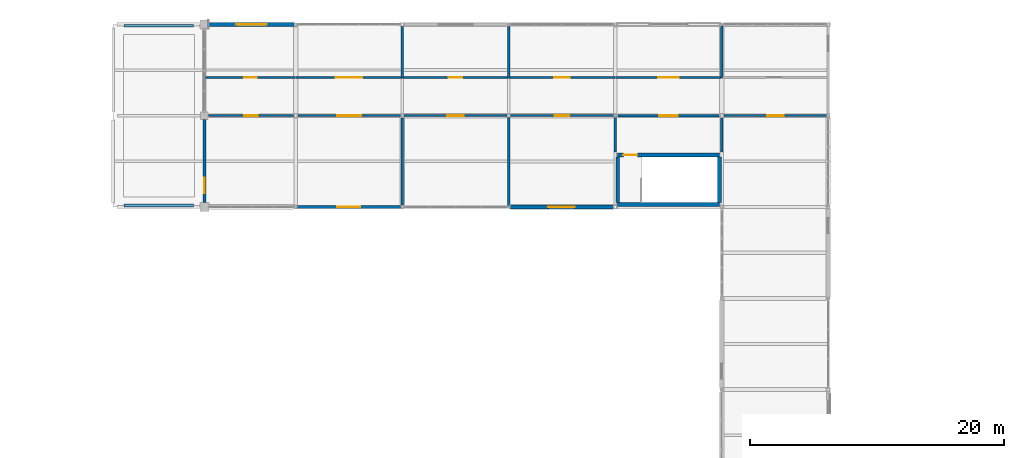
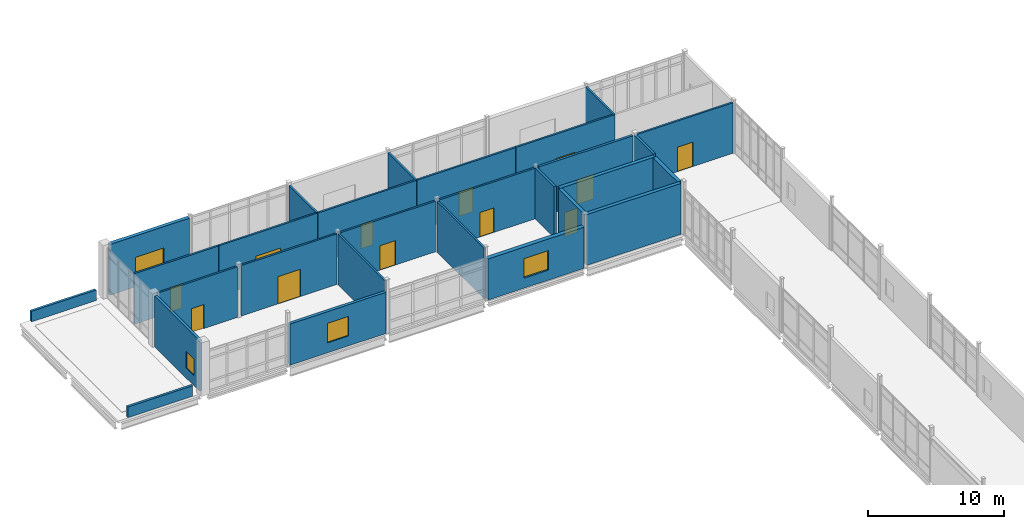
# One storey, part 130 of 153: 28 walls, 12 doors, 4 windows, 16 openings.
"""IFC4 building model written with IfcOpenShell, lengths in metres."""

from ifc_helpers import new_model, si_unit, direction, frame, frame_2d, origin, place, context, subcontext, project, spatial, rectangle, extrude, material, layer, layer_set, type_object, element, fill, save


model = new_model("IFC4")

# Units and contexts
model_context = context("Model", 3, precision=1e-05, world=origin(), true_north=direction((0.0, 1.0)))
body_context = subcontext(model_context, "Body", "Model", "MODEL_VIEW")
ifc_project = project(units=[si_unit("LENGTHUNIT", "METRE"), si_unit("AREAUNIT", "SQUARE_METRE"), si_unit("VOLUMEUNIT", "CUBIC_METRE"), si_unit("PLANEANGLEUNIT", "RADIAN"), si_unit("MASSUNIT", "GRAM", prefix="KILO")], contexts=[model_context])

# Site, building, storey
site_placement = place(None, origin())
site = spatial("IfcSite", under=ifc_project, at=site_placement, CompositionType="ELEMENT")
building_placement = place(site_placement, origin())
building = spatial("IfcBuilding", under=site, at=building_placement, Name="Calvrana Isthmian Art Gallery", CompositionType="ELEMENT")
storey_placement = place(building_placement, frame((0.0, 0.0, 10.199951171875)))
storey = spatial("IfcBuildingStorey", under=building, at=storey_placement, Name="L02", CompositionType="ELEMENT", Elevation=10.199951171875)

# Wall
ifc_material_1 = material(Name="Concrete C40/50", Category="concrete")
ifc_layer_1 = layer(ifc_material_1, 0.300048828125, Name="Concrete C40/50")
ifc_layer_set_1 = layer_set([ifc_layer_1], Name="Concrete C40/50")
wall_type_1 = type_object("IfcWallType", Name="CW-SHAFT-300", PredefinedType="SHEAR", material=ifc_layer_set_1)
wall_1_placement = place(storey_placement, frame((46.989990234375, 98.60009765625, 0.0), z_axis=(0.0, 0.0, 1.0), x_axis=(1.0, 0.0, 0.0)))
element("IfcWall", 1, at=wall_1_placement, inside=storey, type_object=wall_type_1, Name="Core C6 shear wall S L02", PredefinedType="SHEAR", context=body_context, shape_type="SweptSolid", body=[
    extrude(rectangle(XDim=8.02001953125, YDim=0.300048828125, at=frame_2d((4.010009765625, 0.0))), origin(), (0.0, 0.0, 1.0), 4.56005859375),
])

# Wall, opening, door
wall_2_placement = place(storey_placement, frame((46.989990234375, 102.5, 0.0), z_axis=(0.0, 0.0, 1.0), x_axis=(1.0, 0.0, 0.0)))
wall_2 = element("IfcWall", 2, at=wall_2_placement, inside=storey, type_object=wall_type_1, Name="Core C6 shear wall N L02", PredefinedType="SHEAR", context=body_context, shape_type="SweptSolid", body=[
    extrude(rectangle(XDim=8.02001953125, YDim=0.300048828125, at=frame_2d((4.010009765625, 0.0))), origin(), (0.0, 0.0, 1.0), 4.56005859375),
])
opening_1_placement = place(wall_2_placement, frame((0.449951171875, 0.0, 0.0)))
opening_1 = element("IfcOpeningElement", 3, at=opening_1_placement, cuts=wall_2, Name="Opening D-172", PredefinedType="OPENING", context=body_context, shape_type="SweptSolid", body=[
    extrude(rectangle(XDim=1.10009765625, YDim=2.14990234375, at=frame_2d((0.550048828125, 1.074951171875))), frame((0.0, 0.16015625, 0.0), z_axis=(0.0, -1.0, 0.0), x_axis=(1.0, 0.0, 0.0)), (0.0, 0.0, 1.0), 0.320556640625),
])
ifc_material_2 = material(Name="Steel ASTM A572 Gr 50", Category="steel")
door_type_1 = type_object("IfcDoorType", Name="DR-FIRE-1100", OperationType="NOTDEFINED", PredefinedType="DOOR", material=ifc_material_2)
door_1_placement = place(opening_1_placement, origin())
door_1 = element("IfcDoor", 4, at=door_1_placement, inside=storey, type_object=door_type_1, Name="Stair ST-6 fire door L02", OperationType="SINGLE_SWING_LEFT", OverallHeight=2.14990234375, OverallWidth=1.10009765625, PredefinedType="DOOR", context=body_context, shape_type="SweptSolid", body=[
    extrude(rectangle(XDim=1.10009765625, YDim=2.14990234375, at=frame_2d((0.550048828125, 1.074951171875))), frame((0.0, 0.02490234375, 0.0), z_axis=(0.0, -1.0, 0.0), x_axis=(1.0, 0.0, 0.0)), (0.0, 0.0, 1.0), 0.050048828125),
])
fill(opening_1, door_1)

# Walls
for number, where, z_axis, x_axis, name in (
    (5, (46.989990234375, 98.75, 0.0), (0.0, 0.0, 1.0), (0.0, 1.0, 0.0), "Core C6 shear wall W L02"),
    (6, (55.010009765625, 98.75, 0.0), (0.0, 0.0, 1.0), (0.0, 1.0, 0.0), "Core C6 shear wall E L02"),
):
    element("IfcWall", number, at=place(storey_placement, frame(where, z_axis=z_axis, x_axis=x_axis)), inside=storey, type_object=wall_type_1, Name=name, PredefinedType="SHEAR", context=body_context, shape_type="SweptSolid", body=[
        extrude(rectangle(XDim=3.60009765625, YDim=0.300048828125, at=frame_2d((1.800048828125, 0.0))), origin(), (0.0, 0.0, 1.0), 4.56005859375),
    ])

# Wall, opening, window
ifc_material_3 = material(Name="Precast concrete C40/50", Category="concrete")
ifc_layer_2 = layer(ifc_material_3, 0.219970703125, Name="Precast concrete C40/50")
ifc_layer_set_2 = layer_set([ifc_layer_2], Name="Precast concrete C40/50")
wall_type_2 = type_object("IfcWallType", Name="EW-ACOUST-220", PredefinedType="SOLIDWALL", material=ifc_layer_set_2)
wall_3_placement = place(storey_placement, frame((14.39990234375, 98.75, 0.0), z_axis=(0.0, 0.0, 1.0), x_axis=(0.0, 1.0, 0.0)))
wall_3 = element("IfcWall", 7, at=wall_3_placement, inside=storey, type_object=wall_type_2, Name="Exterior wall EW-129", PredefinedType="SOLIDWALL", context=body_context, shape_type="SweptSolid", body=[
    extrude(rectangle(XDim=6.550048828125, YDim=0.219970703125, at=frame_2d((3.27490234375, 0.0))), origin(), (0.0, 0.0, 1.0), 4.56005859375),
])
opening_2_placement = place(wall_3_placement, frame((0.75, 0.0, 0.89990234375)))
opening_2 = element("IfcOpeningElement", 8, at=opening_2_placement, cuts=wall_3, Name="Opening W-086", PredefinedType="OPENING", context=body_context, shape_type="SweptSolid", body=[
    extrude(rectangle(XDim=1.199951171875, YDim=1.5, at=frame_2d((0.60009765625, 0.75))), frame((0.0, 0.1201171875, 0.0), z_axis=(0.0, -1.0, 0.0), x_axis=(1.0, 0.0, 0.0)), (0.0, 0.0, 1.0), 0.240478515625),
])
ifc_material_4 = material(Name="Low-E laminated solar glass", Category="glass")
window_type_1 = type_object("IfcWindowType", Name="WN-G01", PartitioningType="SINGLE_PANEL", PredefinedType="WINDOW", material=ifc_material_4)
window_1_placement = place(opening_2_placement, origin())
window_1 = element("IfcWindow", 9, at=window_1_placement, inside=storey, type_object=window_type_1, Name="Facade window W-086", OverallHeight=1.5, OverallWidth=1.199951171875, PartitioningType="SINGLE_PANEL", PredefinedType="WINDOW", context=body_context, shape_type="SweptSolid", body=[
    extrude(rectangle(XDim=1.199951171875, YDim=1.5, at=frame_2d((0.60009765625, 0.75))), frame((0.0, 0.030029296875, 0.0), z_axis=(0.0, -1.0, 0.0), x_axis=(1.0, 0.0, 0.0)), (0.0, 0.0, 1.0), 0.06005859375),
])
fill(opening_2, window_1)

ifc_material_5 = material(Name="Pale Isthmian limestone", Category="masonry")
ifc_layer_3 = layer(ifc_material_5, 0.300048828125, Name="Pale Isthmian limestone")
ifc_layer_set_3 = layer_set([ifc_layer_3], Name="Pale Isthmian limestone")
wall_type_3 = type_object("IfcWallType", Name="EW-LIME-300", PredefinedType="SOLIDWALL", material=ifc_layer_set_3)
wall_4_placement = place(storey_placement, frame((14.75, 112.800048828125, 0.0), z_axis=(0.0, 0.0, 1.0), x_axis=(1.0, 0.0, 0.0)))
wall_4 = element("IfcWall", 10, at=wall_4_placement, inside=storey, type_object=wall_type_3, Name="Exterior wall EW-126", PredefinedType="SOLIDWALL", context=body_context, shape_type="SweptSolid", body=[
    extrude(rectangle(XDim=6.748291015625, YDim=0.300048828125, at=frame_2d((3.3740234375, 0.0))), origin(), (0.0, 0.0, 1.0), 4.56005859375),
])
opening_3_placement = place(wall_4_placement, frame((2.17431640625, 0.0, 0.89990234375)))
opening_3 = element("IfcOpeningElement", 11, at=opening_3_placement, cuts=wall_4, Name="Opening W-083", PredefinedType="OPENING", context=body_context, shape_type="SweptSolid", body=[
    extrude(rectangle(XDim=2.39990234375, YDim=1.75, at=frame_2d((1.199951171875, 0.875))), frame((0.0, 0.16015625, 0.0), z_axis=(0.0, -1.0, 0.0), x_axis=(1.0, 0.0, 0.0)), (0.0, 0.0, 1.0), 0.320556640625),
])
window_type_2 = type_object("IfcWindowType", Name="WN-G13", PartitioningType="DOUBLE_PANEL_VERTICAL", PredefinedType="WINDOW", material=ifc_material_4)
window_2_placement = place(opening_3_placement, origin())
window_2 = element("IfcWindow", 12, at=window_2_placement, inside=storey, type_object=window_type_2, Name="Facade window W-083", OverallHeight=1.75, OverallWidth=2.39990234375, PartitioningType="SINGLE_PANEL", PredefinedType="WINDOW", context=body_context, shape_type="SweptSolid", body=[
    extrude(rectangle(XDim=2.39990234375, YDim=1.75, at=frame_2d((1.199951171875, 0.875))), frame((0.0, 0.030029296875, 0.0), z_axis=(0.0, -1.0, 0.0), x_axis=(1.0, 0.0, 0.0)), (0.0, 0.0, 1.0), 0.06005859375),
])
fill(opening_3, window_2)

ifc_layer_4 = layer(ifc_material_3, 0.35009765625, Name="Precast concrete C40/50")
ifc_layer_set_4 = layer_set([ifc_layer_4], Name="Precast concrete C40/50")
wall_type_4 = type_object("IfcWallType", Name="EW-PREC-350", PredefinedType="SOLIDWALL", material=ifc_layer_set_4)
wall_5_placement = place(storey_placement, frame((46.647705078125, 98.39990234375, 0.0), z_axis=(0.0, 0.0, 1.0), x_axis=(-1.0, 0.0, 0.0)))
wall_5 = element("IfcWall", 13, at=wall_5_placement, inside=storey, type_object=wall_type_4, Name="Exterior wall EW-124", PredefinedType="SOLIDWALL", context=body_context, shape_type="SweptSolid", body=[
    extrude(rectangle(XDim=8.14599609375, YDim=0.35009765625, at=frame_2d((4.072998046875, 0.0))), origin(), (0.0, 0.0, 1.0), 3.695068359375),
])
opening_4_placement = place(wall_5_placement, frame((3.02294921875, 0.0, 0.89990234375)))
opening_4 = element("IfcOpeningElement", 14, at=opening_4_placement, cuts=wall_5, Name="Opening W-082", PredefinedType="OPENING", context=body_context, shape_type="SweptSolid", body=[
    extrude(rectangle(XDim=2.10009765625, YDim=1.75, at=frame_2d((1.050048828125, 0.875))), frame((0.0, 0.185302734375, 0.0), z_axis=(0.0, -1.0, 0.0), x_axis=(1.0, 0.0, 0.0)), (0.0, 0.0, 1.0), 0.37060546875),
])
window_type_3 = type_object("IfcWindowType", Name="WN-G12", PartitioningType="DOUBLE_PANEL_VERTICAL", PredefinedType="WINDOW", material=ifc_material_4)
window_3_placement = place(opening_4_placement, origin())
window_3 = element("IfcWindow", 15, at=window_3_placement, inside=storey, type_object=window_type_3, Name="Facade window W-082", OverallHeight=1.75, OverallWidth=2.10009765625, PartitioningType="SINGLE_PANEL", PredefinedType="WINDOW", context=body_context, shape_type="SweptSolid", body=[
    extrude(rectangle(XDim=2.10009765625, YDim=1.75, at=frame_2d((1.050048828125, 0.875))), frame((0.0, 0.030029296875, 0.0), z_axis=(0.0, -1.0, 0.0), x_axis=(1.0, 0.0, 0.0)), (0.0, 0.0, 1.0), 0.06005859375),
])
fill(opening_4, window_3)

ifc_material_6 = material(Name="Polychrome glazed terracotta", Category="masonry")
ifc_layer_5 = layer(ifc_material_6, 0.25, Name="Polychrome glazed terracotta")
ifc_layer_set_5 = layer_set([ifc_layer_5], Name="Polychrome glazed terracotta")
wall_type_5 = type_object("IfcWallType", Name="EW-TERRA-250", PredefinedType="SOLIDWALL", material=ifc_layer_set_5)
wall_6_placement = place(storey_placement, frame((29.873046875, 98.39990234375, 0.0), z_axis=(0.0, 0.0, 1.0), x_axis=(-1.0, 0.0, 0.0)))
wall_6 = element("IfcWall", 16, at=wall_6_placement, inside=storey, type_object=wall_type_5, Name="Exterior wall EW-123", PredefinedType="SOLIDWALL", context=body_context, shape_type="SweptSolid", body=[
    extrude(rectangle(XDim=8.17138671875, YDim=0.25, at=frame_2d((4.085693359375, 0.0))), origin(), (0.0, 0.0, 1.0), 3.695068359375),
])
opening_5_placement = place(wall_6_placement, frame((3.185791015625, 0.0, 0.89990234375)))
opening_5 = element("IfcOpeningElement", 17, at=opening_5_placement, cuts=wall_6, Name="Opening W-081", PredefinedType="OPENING", context=body_context, shape_type="SweptSolid", body=[
    extrude(rectangle(XDim=1.800048828125, YDim=1.75, at=frame_2d((0.89990234375, 0.875))), frame((0.0, 0.13525390625, 0.0), z_axis=(0.0, -1.0, 0.0), x_axis=(1.0, 0.0, 0.0)), (0.0, 0.0, 1.0), 0.2705078125),
])
window_type_4 = type_object("IfcWindowType", Name="WN-G11", PartitioningType="DOUBLE_PANEL_VERTICAL", PredefinedType="WINDOW", material=ifc_material_4)
window_4_placement = place(opening_5_placement, origin())
window_4 = element("IfcWindow", 18, at=window_4_placement, inside=storey, type_object=window_type_4, Name="Facade window W-081", OverallHeight=1.75, OverallWidth=1.800048828125, PartitioningType="SINGLE_PANEL", PredefinedType="WINDOW", context=body_context, shape_type="SweptSolid", body=[
    extrude(rectangle(XDim=1.800048828125, YDim=1.75, at=frame_2d((0.89990234375, 0.875))), frame((0.0, 0.030029296875, 0.0), z_axis=(0.0, -1.0, 0.0), x_axis=(1.0, 0.0, 0.0)), (0.0, 0.0, 1.0), 0.06005859375),
])
fill(opening_5, window_4)

# Walls
ifc_material_7 = material(Name="Acoustic gypsum ceiling", Category="gypsum")
ifc_layer_6 = layer(ifc_material_7, 0.199951171875, Name="Acoustic gypsum ceiling")
ifc_layer_set_6 = layer_set([ifc_layer_6], Name="Acoustic gypsum ceiling")
wall_type_6 = type_object("IfcWallType", Name="PW-FIRE-200", PredefinedType="PARTITIONING", material=ifc_layer_set_6)
for number, where, z_axis, x_axis, name in (
    (19, (46.800048828125, 102.719970703125, 0.0), (0.0, 0.0, 1.0), (0.0, 1.0, 0.0), "Core C6 lobby W closure L02"),
    (20, (55.199951171875, 102.719970703125, 0.0), (0.0, 0.0, 1.0), (0.0, 1.0, 0.0), "Core C6 lobby E closure L02"),
):
    element("IfcWall", number, at=place(storey_placement, frame(where, z_axis=z_axis, x_axis=x_axis)), inside=storey, type_object=wall_type_6, Name=name, PredefinedType="PARTITIONING", context=body_context, shape_type="SweptSolid", body=[
        extrude(rectangle(XDim=2.860107421875, YDim=0.199951171875, at=frame_2d((1.43017578125, 0.0))), origin(), (0.0, 0.0, 1.0), 4.56005859375),
    ])

# Wall, opening, door
wall_7_placement = place(storey_placement, frame((47.02001953125, 105.60009765625, 0.0), z_axis=(0.0, 0.0, 1.0), x_axis=(1.0, 0.0, 0.0)))
wall_7 = element("IfcWall", 21, at=wall_7_placement, inside=storey, type_object=wall_type_6, Name="Core C6 lobby enclosure L02", PredefinedType="PARTITIONING", context=body_context, shape_type="SweptSolid", body=[
    extrude(rectangle(XDim=7.9599609375, YDim=0.199951171875, at=frame_2d((3.97998046875, 0.0))), origin(), (0.0, 0.0, 1.0), 4.56005859375),
])
opening_6_placement = place(wall_7_placement, frame((3.2548828125, 0.0, 0.0)))
opening_6 = element("IfcOpeningElement", 22, at=opening_6_placement, cuts=wall_7, Name="Opening D-173", PredefinedType="OPENING", context=body_context, shape_type="SweptSolid", body=[
    extrude(rectangle(XDim=1.449951171875, YDim=2.199951171875, at=frame_2d((0.72509765625, 1.10009765625))), frame((0.0, 0.1103515625, 0.0), z_axis=(0.0, -1.0, 0.0), x_axis=(1.0, 0.0, 0.0)), (0.0, 0.0, 1.0), 0.220458984375),
])
door_type_2 = type_object("IfcDoorType", Name="DR-LOBBY-1450", OperationType="DOUBLE_DOOR_SINGLE_SWING", PredefinedType="DOOR", material=ifc_material_2)
door_2_placement = place(opening_6_placement, origin())
door_2 = element("IfcDoor", 23, at=door_2_placement, inside=storey, type_object=door_type_2, Name="Core C6 lobby fire door L02", OperationType="DOUBLE_DOOR_SINGLE_SWING", OverallHeight=2.199951171875, OverallWidth=1.449951171875, PredefinedType="DOOR", context=body_context, shape_type="SweptSolid", body=[
    extrude(rectangle(XDim=1.449951171875, YDim=2.199951171875, at=frame_2d((0.72509765625, 1.10009765625))), frame((0.0, 0.02490234375, 0.0), z_axis=(0.0, -1.0, 0.0), x_axis=(1.0, 0.0, 0.0)), (0.0, 0.0, 1.0), 0.050048828125),
])
fill(opening_6, door_2)

ifc_layer_7 = layer(ifc_material_7, 0.159912109375, Name="Acoustic gypsum ceiling")
ifc_layer_set_7 = layer_set([ifc_layer_7], Name="Acoustic gypsum ceiling")
wall_type_7 = type_object("IfcWallType", Name="PW-GAL-160", PredefinedType="PARTITIONING", material=ifc_layer_set_7)
wall_8_placement = place(storey_placement, frame((14.715087890625, 105.60009765625, 0.0), z_axis=(0.0, 0.0, 1.0), x_axis=(1.0, 0.0, 0.0)))
wall_8 = element("IfcWall", 24, at=wall_8_placement, inside=storey, type_object=wall_type_7, Name="Interior partition PW-502", PredefinedType="PARTITIONING", context=body_context, shape_type="SweptSolid", body=[
    extrude(rectangle(XDim=6.717529296875, YDim=0.159912109375, at=frame_2d((3.35888671875, 0.0))), origin(), (0.0, 0.0, 1.0), 4.5400390625),
])
opening_7_placement = place(wall_8_placement, frame((2.833740234375, 0.0, 0.0)))
opening_7 = element("IfcOpeningElement", 25, at=opening_7_placement, cuts=wall_8, Name="Opening D-457", PredefinedType="OPENING", context=body_context, shape_type="SweptSolid", body=[
    extrude(rectangle(XDim=1.050048828125, YDim=2.14990234375, at=frame_2d((0.52490234375, 1.074951171875))), frame((0.0, 0.09033203125, 0.0), z_axis=(0.0, -1.0, 0.0), x_axis=(1.0, 0.0, 0.0)), (0.0, 0.0, 1.0), 0.180419921875),
])
ifc_material_8 = material(Name="Timber gallery flooring", Category="wood")
door_type_3 = type_object("IfcDoorType", Name="DR-RM-1050", OperationType="NOTDEFINED", PredefinedType="DOOR", material=ifc_material_8)
door_3_placement = place(opening_7_placement, origin())
door_3 = element("IfcDoor", 26, at=door_3_placement, inside=storey, type_object=door_type_3, Name="Interior door D-457", OperationType="SINGLE_SWING_RIGHT", OverallHeight=2.14990234375, OverallWidth=1.050048828125, PredefinedType="DOOR", context=body_context, shape_type="SweptSolid", body=[
    extrude(rectangle(XDim=1.050048828125, YDim=2.14990234375, at=frame_2d((0.52490234375, 1.074951171875))), frame((0.0, 0.02490234375, 0.0), z_axis=(0.0, -1.0, 0.0), x_axis=(1.0, 0.0, 0.0)), (0.0, 0.0, 1.0), 0.050048828125),
])
fill(opening_7, door_3)

wall_9_placement = place(storey_placement, frame((21.767333984375, 105.60009765625, 0.0), z_axis=(0.0, 0.0, 1.0), x_axis=(1.0, 0.0, 0.0)))
wall_9 = element("IfcWall", 27, at=wall_9_placement, inside=storey, type_object=wall_type_7, Name="Interior partition PW-503", PredefinedType="PARTITIONING", context=body_context, shape_type="SweptSolid", body=[
    extrude(rectangle(XDim=8.115966796875, YDim=0.159912109375, at=frame_2d((4.05810546875, 0.0))), origin(), (0.0, 0.0, 1.0), 4.5400390625),
])
opening_8_placement = place(wall_9_placement, frame((3.10791015625, 0.0, 0.0)))
opening_8 = element("IfcOpeningElement", 28, at=opening_8_placement, cuts=wall_9, Name="Opening D-458", PredefinedType="OPENING", context=body_context, shape_type="SweptSolid", body=[
    extrude(rectangle(XDim=1.89990234375, YDim=2.449951171875, at=frame_2d((0.949951171875, 1.22509765625))), frame((0.0, 0.09033203125, 0.0), z_axis=(0.0, -1.0, 0.0), x_axis=(1.0, 0.0, 0.0)), (0.0, 0.0, 1.0), 0.180419921875),
])
door_type_4 = type_object("IfcDoorType", Name="DR-GAL-1900", OperationType="DOUBLE_DOOR_SINGLE_SWING", PredefinedType="DOOR", material=ifc_material_8)
door_4_placement = place(opening_8_placement, origin())
door_4 = element("IfcDoor", 29, at=door_4_placement, inside=storey, type_object=door_type_4, Name="Interior door D-458", OperationType="DOUBLE_DOOR_SINGLE_SWING", OverallHeight=2.449951171875, OverallWidth=1.89990234375, PredefinedType="DOOR", context=body_context, shape_type="SweptSolid", body=[
    extrude(rectangle(XDim=1.89990234375, YDim=2.449951171875, at=frame_2d((0.949951171875, 1.22509765625))), frame((0.0, 0.02490234375, 0.0), z_axis=(0.0, -1.0, 0.0), x_axis=(1.0, 0.0, 0.0)), (0.0, 0.0, 1.0), 0.050048828125),
])
fill(opening_8, door_4)

# Wall
wall_10_placement = place(storey_placement, frame((30.0, 98.5419921875, 0.0), z_axis=(0.0, 0.0, 1.0), x_axis=(0.0, 1.0, 0.0)))
element("IfcWall", 30, at=wall_10_placement, inside=storey, type_object=wall_type_7, Name="Interior partition PW-504", PredefinedType="PARTITIONING", context=body_context, shape_type="SweptSolid", body=[
    extrude(rectangle(XDim=6.890625, YDim=0.159912109375, at=frame_2d((3.4453125, 0.0))), origin(), (0.0, 0.0, 1.0), 4.5400390625),
])

# Wall, opening, door
wall_11_placement = place(storey_placement, frame((30.11669921875, 105.60009765625, 0.0), z_axis=(0.0, 0.0, 1.0), x_axis=(1.0, 0.0, 0.0)))
wall_11 = element("IfcWall", 31, at=wall_11_placement, inside=storey, type_object=wall_type_7, Name="Interior partition PW-505", PredefinedType="PARTITIONING", context=body_context, shape_type="SweptSolid", body=[
    extrude(rectangle(XDim=8.141357421875, YDim=0.159912109375, at=frame_2d((4.07080078125, 0.0))), origin(), (0.0, 0.0, 1.0), 4.5400390625),
])
opening_9_placement = place(wall_11_placement, frame((3.420654296875, 0.0, 0.0)))
opening_9 = element("IfcOpeningElement", 32, at=opening_9_placement, cuts=wall_11, Name="Opening D-459", PredefinedType="OPENING", context=body_context, shape_type="SweptSolid", body=[
    extrude(rectangle(XDim=1.300048828125, YDim=2.199951171875, at=frame_2d((0.64990234375, 1.10009765625))), frame((0.0, 0.09033203125, 0.0), z_axis=(0.0, -1.0, 0.0), x_axis=(1.0, 0.0, 0.0)), (0.0, 0.0, 1.0), 0.180419921875),
])
door_type_5 = type_object("IfcDoorType", Name="DR-RM-1300", OperationType="NOTDEFINED", PredefinedType="DOOR", material=ifc_material_8)
door_5_placement = place(opening_9_placement, origin())
door_5 = element("IfcDoor", 33, at=door_5_placement, inside=storey, type_object=door_type_5, Name="Interior door D-459", OperationType="SINGLE_SWING_LEFT", OverallHeight=2.199951171875, OverallWidth=1.300048828125, PredefinedType="DOOR", context=body_context, shape_type="SweptSolid", body=[
    extrude(rectangle(XDim=1.300048828125, YDim=2.199951171875, at=frame_2d((0.64990234375, 1.10009765625))), frame((0.0, 0.02490234375, 0.0), z_axis=(0.0, -1.0, 0.0), x_axis=(1.0, 0.0, 0.0)), (0.0, 0.0, 1.0), 0.050048828125),
])
fill(opening_9, door_5)

# Wall
wall_12_placement = place(storey_placement, frame((38.39990234375, 98.5166015625, 0.0), z_axis=(0.0, 0.0, 1.0), x_axis=(0.0, 1.0, 0.0)))
element("IfcWall", 34, at=wall_12_placement, inside=storey, type_object=wall_type_7, Name="Interior partition PW-506", PredefinedType="PARTITIONING", context=body_context, shape_type="SweptSolid", body=[
    extrude(rectangle(XDim=6.94140625, YDim=0.159912109375, at=frame_2d((3.470703125, 0.0))), origin(), (0.0, 0.0, 1.0), 4.5400390625),
])

# Wall, opening, door
wall_13_placement = place(storey_placement, frame((38.5419921875, 105.60009765625, 0.0), z_axis=(0.0, 0.0, 1.0), x_axis=(1.0, 0.0, 0.0)))
wall_13 = element("IfcWall", 35, at=wall_13_placement, inside=storey, type_object=wall_type_7, Name="Interior partition PW-507", PredefinedType="PARTITIONING", context=body_context, shape_type="SweptSolid", body=[
    extrude(rectangle(XDim=8.141357421875, YDim=0.159912109375, at=frame_2d((4.07080078125, 0.0))), origin(), (0.0, 0.0, 1.0), 4.5400390625),
])
opening_10_placement = place(wall_13_placement, frame((3.49560546875, 0.0, 0.0)))
opening_10 = element("IfcOpeningElement", 36, at=opening_10_placement, cuts=wall_13, Name="Opening D-460", PredefinedType="OPENING", context=body_context, shape_type="SweptSolid", body=[
    extrude(rectangle(XDim=1.14990234375, YDim=2.199951171875, at=frame_2d((0.574951171875, 1.10009765625))), frame((0.0, 0.09033203125, 0.0), z_axis=(0.0, -1.0, 0.0), x_axis=(1.0, 0.0, 0.0)), (0.0, 0.0, 1.0), 0.180419921875),
])
door_type_6 = type_object("IfcDoorType", Name="DR-RM-1150", OperationType="NOTDEFINED", PredefinedType="DOOR", material=ifc_material_8)
door_6_placement = place(opening_10_placement, origin())
door_6 = element("IfcDoor", 37, at=door_6_placement, inside=storey, type_object=door_type_6, Name="Interior door D-460", OperationType="SINGLE_SWING_RIGHT", OverallHeight=2.199951171875, OverallWidth=1.14990234375, PredefinedType="DOOR", context=body_context, shape_type="SweptSolid", body=[
    extrude(rectangle(XDim=1.14990234375, YDim=2.199951171875, at=frame_2d((0.574951171875, 1.10009765625))), frame((0.0, 0.02490234375, 0.0), z_axis=(0.0, -1.0, 0.0), x_axis=(1.0, 0.0, 0.0)), (0.0, 0.0, 1.0), 0.050048828125),
])
fill(opening_10, door_6)

wall_14_placement = place(storey_placement, frame((55.367431640625, 105.60009765625, 0.0), z_axis=(0.0, 0.0, 1.0), x_axis=(1.0, 0.0, 0.0)))
wall_14 = element("IfcWall", 38, at=wall_14_placement, inside=storey, type_object=wall_type_7, Name="Interior partition PW-508", PredefinedType="PARTITIONING", context=body_context, shape_type="SweptSolid", body=[
    extrude(rectangle(XDim=8.115966796875, YDim=0.159912109375, at=frame_2d((4.05810546875, 0.0))), origin(), (0.0, 0.0, 1.0), 4.5400390625),
])
opening_11_placement = place(wall_14_placement, frame((3.407958984375, 0.0, 0.0)))
opening_11 = element("IfcOpeningElement", 39, at=opening_11_placement, cuts=wall_14, Name="Opening D-461", PredefinedType="OPENING", context=body_context, shape_type="SweptSolid", body=[
    extrude(rectangle(XDim=1.300048828125, YDim=2.199951171875, at=frame_2d((0.64990234375, 1.10009765625))), frame((0.0, 0.09033203125, 0.0), z_axis=(0.0, -1.0, 0.0), x_axis=(1.0, 0.0, 0.0)), (0.0, 0.0, 1.0), 0.180419921875),
])
door_7_placement = place(opening_11_placement, origin())
door_7 = element("IfcDoor", 40, at=door_7_placement, inside=storey, type_object=door_type_5, Name="Interior door D-461", OperationType="SINGLE_SWING_LEFT", OverallHeight=2.199951171875, OverallWidth=1.300048828125, PredefinedType="DOOR", context=body_context, shape_type="SweptSolid", body=[
    extrude(rectangle(XDim=1.300048828125, YDim=2.199951171875, at=frame_2d((0.64990234375, 1.10009765625))), frame((0.0, 0.02490234375, 0.0), z_axis=(0.0, -1.0, 0.0), x_axis=(1.0, 0.0, 0.0)), (0.0, 0.0, 1.0), 0.050048828125),
])
fill(opening_11, door_7)

wall_15_placement = place(storey_placement, frame((14.4599609375, 108.610107421875, 0.0), z_axis=(0.0, 0.0, 1.0), x_axis=(1.0, 0.0, 0.0)))
wall_15 = element("IfcWall", 41, at=wall_15_placement, inside=storey, type_object=wall_type_7, Name="Interior partition PW-509", PredefinedType="PARTITIONING", context=body_context, shape_type="SweptSolid", body=[
    extrude(rectangle(XDim=7.130126953125, YDim=0.159912109375, at=frame_2d((3.56494140625, 0.0))), origin(), (0.0, 0.0, 1.0), 4.5400390625),
])
opening_12_placement = place(wall_15_placement, frame((3.06494140625, 0.0, 0.0)))
opening_12 = element("IfcOpeningElement", 42, at=opening_12_placement, cuts=wall_15, Name="Opening D-462", PredefinedType="OPENING", context=body_context, shape_type="SweptSolid", body=[
    extrude(rectangle(XDim=1.0, YDim=2.14990234375, at=frame_2d((0.5, 1.074951171875))), frame((0.0, 0.09033203125, 0.0), z_axis=(0.0, -1.0, 0.0), x_axis=(1.0, 0.0, 0.0)), (0.0, 0.0, 1.0), 0.180419921875),
])
door_type_7 = type_object("IfcDoorType", Name="DR-RM-1000", OperationType="NOTDEFINED", PredefinedType="DOOR", material=ifc_material_8)
door_8_placement = place(opening_12_placement, origin())
door_8 = element("IfcDoor", 43, at=door_8_placement, inside=storey, type_object=door_type_7, Name="Interior door D-462", OperationType="SINGLE_SWING_RIGHT", OverallHeight=2.14990234375, OverallWidth=1.0, PredefinedType="DOOR", context=body_context, shape_type="SweptSolid", body=[
    extrude(rectangle(XDim=1.0, YDim=2.14990234375, at=frame_2d((0.5, 1.074951171875))), frame((0.0, 0.02490234375, 0.0), z_axis=(0.0, -1.0, 0.0), x_axis=(1.0, 0.0, 0.0)), (0.0, 0.0, 1.0), 0.050048828125),
])
fill(opening_12, door_8)

wall_16_placement = place(storey_placement, frame((21.610107421875, 108.610107421875, 0.0), z_axis=(0.0, 0.0, 1.0), x_axis=(1.0, 0.0, 0.0)))
wall_16 = element("IfcWall", 44, at=wall_16_placement, inside=storey, type_object=wall_type_7, Name="Interior partition PW-510", PredefinedType="PARTITIONING", context=body_context, shape_type="SweptSolid", body=[
    extrude(rectangle(XDim=8.3798828125, YDim=0.159912109375, at=frame_2d((4.18994140625, 0.0))), origin(), (0.0, 0.0, 1.0), 4.5400390625),
])
opening_13_placement = place(wall_16_placement, frame((3.139892578125, 0.0, 0.0)))
opening_13 = element("IfcOpeningElement", 45, at=opening_13_placement, cuts=wall_16, Name="Opening D-463", PredefinedType="OPENING", context=body_context, shape_type="SweptSolid", body=[
    extrude(rectangle(XDim=2.10009765625, YDim=2.5, at=frame_2d((1.050048828125, 1.25))), frame((0.0, 0.09033203125, 0.0), z_axis=(0.0, -1.0, 0.0), x_axis=(1.0, 0.0, 0.0)), (0.0, 0.0, 1.0), 0.180419921875),
])
door_type_8 = type_object("IfcDoorType", Name="DR-GAL-2100", OperationType="DOUBLE_DOOR_SINGLE_SWING", PredefinedType="DOOR", material=ifc_material_8)
door_9_placement = place(opening_13_placement, origin())
door_9 = element("IfcDoor", 46, at=door_9_placement, inside=storey, type_object=door_type_8, Name="Interior door D-463", OperationType="DOUBLE_DOOR_SINGLE_SWING", OverallHeight=2.5, OverallWidth=2.10009765625, PredefinedType="DOOR", context=body_context, shape_type="SweptSolid", body=[
    extrude(rectangle(XDim=2.10009765625, YDim=2.5, at=frame_2d((1.050048828125, 1.25))), frame((0.0, 0.02490234375, 0.0), z_axis=(0.0, -1.0, 0.0), x_axis=(1.0, 0.0, 0.0)), (0.0, 0.0, 1.0), 0.050048828125),
])
fill(opening_13, door_9)

# Wall
wall_17_placement = place(storey_placement, frame((30.0, 108.6201171875, 0.0), z_axis=(0.0, 0.0, 1.0), x_axis=(0.0, 1.0, 0.0)))
element("IfcWall", 47, at=wall_17_placement, inside=storey, type_object=wall_type_7, Name="Interior partition PW-511", PredefinedType="PARTITIONING", context=body_context, shape_type="SweptSolid", body=[
    extrude(rectangle(XDim=4.012451171875, YDim=0.159912109375, at=frame_2d((2.00634765625, 0.0))), origin(), (0.0, 0.0, 1.0), 4.5400390625),
])

# Wall, opening, door
wall_18_placement = place(storey_placement, frame((30.010009765625, 108.610107421875, 0.0), z_axis=(0.0, 0.0, 1.0), x_axis=(1.0, 0.0, 0.0)))
wall_18 = element("IfcWall", 48, at=wall_18_placement, inside=storey, type_object=wall_type_7, Name="Interior partition PW-512", PredefinedType="PARTITIONING", context=body_context, shape_type="SweptSolid", body=[
    extrude(rectangle(XDim=8.3798828125, YDim=0.159912109375, at=frame_2d((4.18994140625, 0.0))), origin(), (0.0, 0.0, 1.0), 4.5400390625),
])
opening_14_placement = place(wall_18_placement, frame((3.6650390625, 0.0, 0.0)))
opening_14 = element("IfcOpeningElement", 49, at=opening_14_placement, cuts=wall_18, Name="Opening D-464", PredefinedType="OPENING", context=body_context, shape_type="SweptSolid", body=[
    extrude(rectangle(XDim=1.050048828125, YDim=2.14990234375, at=frame_2d((0.52490234375, 1.074951171875))), frame((0.0, 0.09033203125, 0.0), z_axis=(0.0, -1.0, 0.0), x_axis=(1.0, 0.0, 0.0)), (0.0, 0.0, 1.0), 0.180419921875),
])
door_10_placement = place(opening_14_placement, origin())
door_10 = element("IfcDoor", 50, at=door_10_placement, inside=storey, type_object=door_type_3, Name="Interior door D-464", OperationType="SINGLE_SWING_LEFT", OverallHeight=2.14990234375, OverallWidth=1.050048828125, PredefinedType="DOOR", context=body_context, shape_type="SweptSolid", body=[
    extrude(rectangle(XDim=1.050048828125, YDim=2.14990234375, at=frame_2d((0.52490234375, 1.074951171875))), frame((0.0, 0.02490234375, 0.0), z_axis=(0.0, -1.0, 0.0), x_axis=(1.0, 0.0, 0.0)), (0.0, 0.0, 1.0), 0.050048828125),
])
fill(opening_14, door_10)

# Wall
wall_19_placement = place(storey_placement, frame((38.39990234375, 108.6201171875, 0.0), z_axis=(0.0, 0.0, 1.0), x_axis=(0.0, 1.0, 0.0)))
element("IfcWall", 51, at=wall_19_placement, inside=storey, type_object=wall_type_7, Name="Interior partition PW-513", PredefinedType="PARTITIONING", context=body_context, shape_type="SweptSolid", body=[
    extrude(rectangle(XDim=4.012451171875, YDim=0.159912109375, at=frame_2d((2.00634765625, 0.0))), origin(), (0.0, 0.0, 1.0), 4.5400390625),
])

# Wall, opening, door
wall_20_placement = place(storey_placement, frame((38.409912109375, 108.610107421875, 0.0), z_axis=(0.0, 0.0, 1.0), x_axis=(1.0, 0.0, 0.0)))
wall_20 = element("IfcWall", 52, at=wall_20_placement, inside=storey, type_object=wall_type_7, Name="Interior partition PW-514", PredefinedType="PARTITIONING", context=body_context, shape_type="SweptSolid", body=[
    extrude(rectangle(XDim=8.380126953125, YDim=0.159912109375, at=frame_2d((4.18994140625, 0.0))), origin(), (0.0, 0.0, 1.0), 4.5400390625),
])
opening_15_placement = place(wall_20_placement, frame((3.590087890625, 0.0, 0.0)))
opening_15 = element("IfcOpeningElement", 53, at=opening_15_placement, cuts=wall_20, Name="Opening D-465", PredefinedType="OPENING", context=body_context, shape_type="SweptSolid", body=[
    extrude(rectangle(XDim=1.199951171875, YDim=2.199951171875, at=frame_2d((0.60009765625, 1.10009765625))), frame((0.0, 0.09033203125, 0.0), z_axis=(0.0, -1.0, 0.0), x_axis=(1.0, 0.0, 0.0)), (0.0, 0.0, 1.0), 0.180419921875),
])
door_type_9 = type_object("IfcDoorType", Name="DR-RM-1200", OperationType="NOTDEFINED", PredefinedType="DOOR", material=ifc_material_8)
door_11_placement = place(opening_15_placement, origin())
door_11 = element("IfcDoor", 54, at=door_11_placement, inside=storey, type_object=door_type_9, Name="Interior door D-465", OperationType="SINGLE_SWING_RIGHT", OverallHeight=2.199951171875, OverallWidth=1.199951171875, PredefinedType="DOOR", context=body_context, shape_type="SweptSolid", body=[
    extrude(rectangle(XDim=1.199951171875, YDim=2.199951171875, at=frame_2d((0.60009765625, 1.10009765625))), frame((0.0, 0.02490234375, 0.0), z_axis=(0.0, -1.0, 0.0), x_axis=(1.0, 0.0, 0.0)), (0.0, 0.0, 1.0), 0.050048828125),
])
fill(opening_15, door_11)

wall_21_placement = place(storey_placement, frame((46.81005859375, 108.610107421875, 0.0), z_axis=(0.0, 0.0, 1.0), x_axis=(1.0, 0.0, 0.0)))
wall_21 = element("IfcWall", 55, at=wall_21_placement, inside=storey, type_object=wall_type_7, Name="Interior partition PW-515", PredefinedType="PARTITIONING", context=body_context, shape_type="SweptSolid", body=[
    extrude(rectangle(XDim=8.3798828125, YDim=0.159912109375, at=frame_2d((4.18994140625, 0.0))), origin(), (0.0, 0.0, 1.0), 4.5400390625),
])
opening_16_placement = place(wall_21_placement, frame((3.389892578125, 0.0, 0.0)))
opening_16 = element("IfcOpeningElement", 56, at=opening_16_placement, cuts=wall_21, Name="Opening D-466", PredefinedType="OPENING", context=body_context, shape_type="SweptSolid", body=[
    extrude(rectangle(XDim=1.60009765625, YDim=2.35009765625, at=frame_2d((0.800048828125, 1.175048828125))), frame((0.0, 0.09033203125, 0.0), z_axis=(0.0, -1.0, 0.0), x_axis=(1.0, 0.0, 0.0)), (0.0, 0.0, 1.0), 0.180419921875),
])
door_type_10 = type_object("IfcDoorType", Name="DR-GAL-1600", OperationType="DOUBLE_DOOR_SINGLE_SWING", PredefinedType="DOOR", material=ifc_material_8)
door_12_placement = place(opening_16_placement, origin())
door_12 = element("IfcDoor", 57, at=door_12_placement, inside=storey, type_object=door_type_10, Name="Interior door D-466", OperationType="DOUBLE_DOOR_SINGLE_SWING", OverallHeight=2.35009765625, OverallWidth=1.60009765625, PredefinedType="DOOR", context=body_context, shape_type="SweptSolid", body=[
    extrude(rectangle(XDim=1.60009765625, YDim=2.35009765625, at=frame_2d((0.800048828125, 1.175048828125))), frame((0.0, 0.02490234375, 0.0), z_axis=(0.0, -1.0, 0.0), x_axis=(1.0, 0.0, 0.0)), (0.0, 0.0, 1.0), 0.050048828125),
])
fill(opening_16, door_12)

# Walls
wall_22_placement = place(storey_placement, frame((55.199951171875, 108.6201171875, 0.0), z_axis=(0.0, 0.0, 1.0), x_axis=(0.0, 1.0, 0.0)))
element("IfcWall", 58, at=wall_22_placement, inside=storey, type_object=wall_type_7, Name="Interior partition PW-516", PredefinedType="PARTITIONING", context=body_context, shape_type="SweptSolid", body=[
    extrude(rectangle(XDim=4.063232421875, YDim=0.159912109375, at=frame_2d((2.03173828125, 0.0))), origin(), (0.0, 0.0, 1.0), 4.5400390625),
])
ifc_layer_8 = layer(ifc_material_5, 0.199951171875, Name="Pale Isthmian limestone")
ifc_layer_set_8 = layer_set([ifc_layer_8], Name="Pale Isthmian limestone")
wall_type_8 = type_object("IfcWallType", Name="WL-PARA-200", PredefinedType="PARAPET", material=ifc_layer_set_8)
for number, where, z_axis, x_axis, name in (
    (59, (8.050048828125, 98.52001953125, 0.0), (0.0, 0.0, 1.0), (1.0, 0.0, 0.0), "Roof parapet WP-26"),
    (60, (8.050048828125, 112.679931640625, 0.0), (0.0, 0.0, 1.0), (1.0, 0.0, 0.0), "Roof parapet WP-27"),
):
    element("IfcWall", number, at=place(storey_placement, frame(where, z_axis=z_axis, x_axis=x_axis)), inside=storey, type_object=wall_type_8, Name=name, PredefinedType="PARAPET", context=body_context, shape_type="SweptSolid", body=[
        extrude(rectangle(XDim=5.5, YDim=0.199951171875, at=frame_2d((2.75, 0.0))), origin(), (0.0, 0.0, 1.0), 0.949951171875),
    ])

save(model, "model.ifc")
